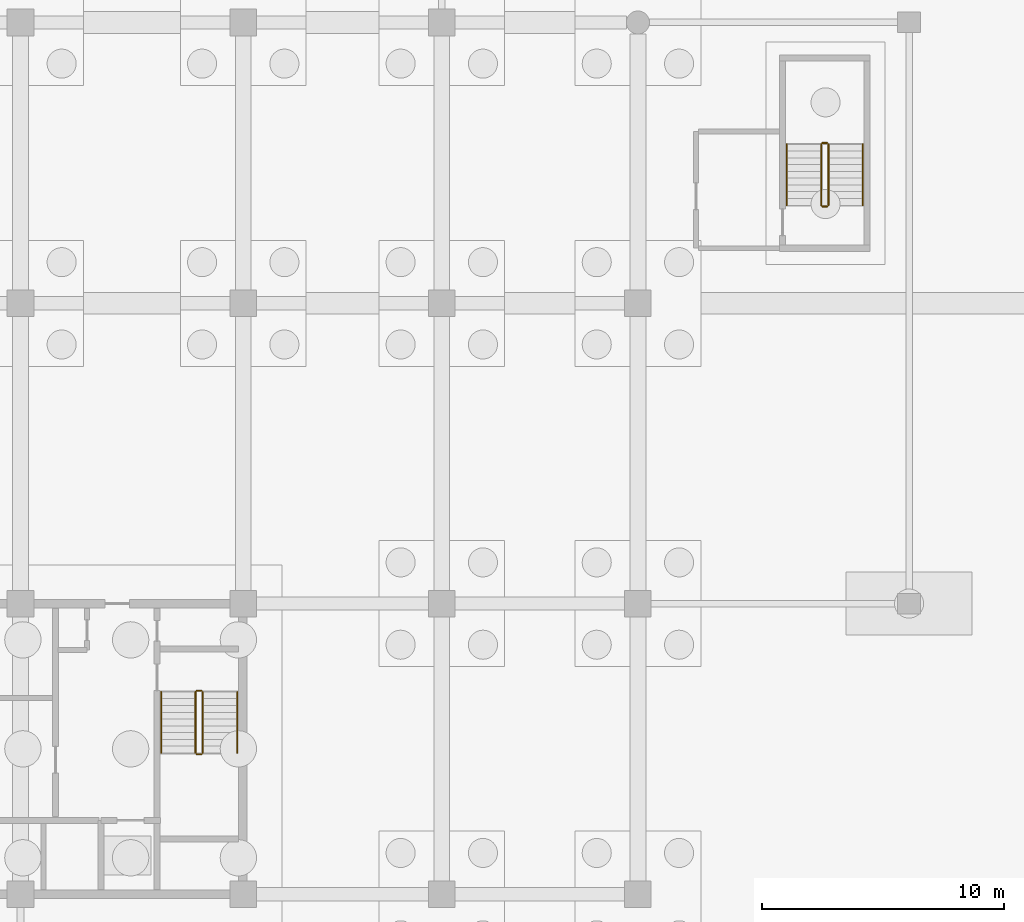
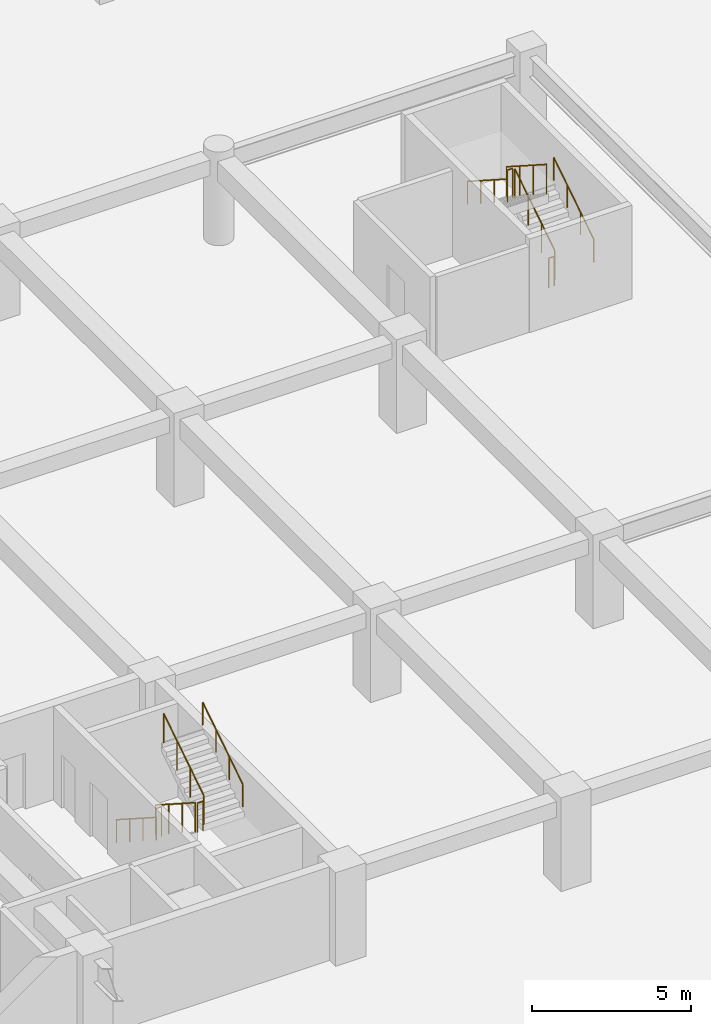
# One storey, part 25 of 26: 12 railings.
"""IFC4 building model written with IfcOpenShell, lengths in metres."""

from ifc_helpers import new_model, si_unit, direction, frame, origin, origin_2d, place, context, subcontext, project, spatial, circle, extrude, material, type_object, element, save


model = new_model("IFC4")

# Units and contexts
model_context = context("Model", 3, precision=1e-05, world=origin(), true_north=direction((0.0, 1.0)))
body_context = subcontext(model_context, "Body", "Model", "MODEL_VIEW")
ifc_project = project(units=[si_unit("LENGTHUNIT", "METRE"), si_unit("AREAUNIT", "SQUARE_METRE"), si_unit("VOLUMEUNIT", "CUBIC_METRE"), si_unit("PLANEANGLEUNIT", "RADIAN"), si_unit("MASSUNIT", "GRAM", prefix="KILO")], contexts=[model_context])

# Site, building, storey
site_placement = place(None, origin())
site = spatial("IfcSite", under=ifc_project, at=site_placement, CompositionType="ELEMENT")
building_placement = place(site_placement, origin())
building = spatial("IfcBuilding", under=site, at=building_placement, Name="Korimba Cascade Residences", CompositionType="ELEMENT")
storey_placement = place(building_placement, frame((0.0, 0.0, -10.800048828125)))
storey = spatial("IfcBuildingStorey", under=building, at=storey_placement, Name="B03", CompositionType="ELEMENT", Elevation=-10.800048828125)

# Railings
ifc_material_1 = material(Name="Painted Steel Stairwell Guardrail", Category="steel")
railing_type_1 = type_object("IfcRailingType", Name="RLG-ST-GD1150", PredefinedType="GUARDRAIL", material=ifc_material_1)
railing_1_placement = place(storey_placement, frame((110.1298828125, 63.550048828125, 0.179931640625)))
element("IfcRailing", 1, at=railing_1_placement, inside=storey, type_object=railing_type_1, Name="B03 ST-W2 stair guard 1", PredefinedType="GUARDRAIL", context=body_context, shape_type="SweptSolid", body=[
    extrude(circle(Radius=0.02392578125, at=origin_2d()), frame((0.0, 0.0, 1.1259765625), z_axis=(0.0, -0.841162588446, 0.540782303519), x_axis=(1.0, 0.0, 0.0)), (0.0, 0.0, 1.0), 2.995849609375),
    extrude(circle(Radius=0.02099609375, at=origin_2d()), origin(), (0.0, 0.0, 1.0), 1.101806640625),
    extrude(circle(Radius=0.02099609375, at=origin_2d()), frame((0.0, -0.840087890625, 0.5400390625)), (0.0, 0.0, 1.0), 1.101806640625),
    extrude(circle(Radius=0.02099609375, at=origin_2d()), frame((0.0, -1.679931640625, 1.080078125)), (0.0, 0.0, 1.0), 1.101806640625),
    extrude(circle(Radius=0.02099609375, at=origin_2d()), frame((0.0, -2.52001953125, 1.6201171875)), (0.0, 0.0, 1.0), 1.101806640625),
])
railing_2_placement = place(storey_placement, frame((110.179931640625, 60.97998046875, 1.800048828125)))
element("IfcRailing", 2, at=railing_2_placement, inside=storey, type_object=railing_type_1, Name="B03 ST-W2 stair guard 2", PredefinedType="GUARDRAIL", context=body_context, shape_type="SweptSolid", body=[
    extrude(circle(Radius=0.02392578125, at=origin_2d()), frame((0.0, 0.0, 1.1259765625), z_axis=(1.0, 0.0, 0.0), x_axis=(0.0, 1.0, 0.0)), (0.0, 0.0, 1.0), 0.199951171875),
    extrude(circle(Radius=0.02099609375, at=origin_2d()), origin(), (0.0, 0.0, 1.0), 1.101806640625),
    extrude(circle(Radius=0.02099609375, at=origin_2d()), frame((0.199951171875, 0.0, 0.0)), (0.0, 0.0, 1.0), 1.101806640625),
])
railing_3_placement = place(storey_placement, frame((110.429931640625, 61.030029296875, 1.97998046875)))
element("IfcRailing", 3, at=railing_3_placement, inside=storey, type_object=railing_type_1, Name="B03 ST-W2 stair guard 3", PredefinedType="GUARDRAIL", context=body_context, shape_type="SweptSolid", body=[
    extrude(circle(Radius=0.02392578125, at=origin_2d()), frame((0.0, 0.0, 1.1259765625), z_axis=(0.0, 0.841162588446, 0.540782303519), x_axis=(-1.0, 0.0, 0.0)), (0.0, 0.0, 1.0), 2.995849609375),
    extrude(circle(Radius=0.02099609375, at=origin_2d()), origin(), (0.0, 0.0, 1.0), 1.101806640625),
    extrude(circle(Radius=0.02099609375, at=origin_2d()), frame((0.0, 0.840087890625, 0.5400390625)), (0.0, 0.0, 1.0), 1.101806640625),
    extrude(circle(Radius=0.02099609375, at=origin_2d()), frame((0.0, 1.679931640625, 1.080078125)), (0.0, 0.0, 1.0), 1.101806640625),
    extrude(circle(Radius=0.02099609375, at=origin_2d()), frame((0.0, 2.52001953125, 1.6201171875)), (0.0, 0.0, 1.0), 1.101806640625),
])
railing_4_placement = place(storey_placement, frame((110.179931640625, 63.60009765625, 0.0)))
element("IfcRailing", 4, at=railing_4_placement, inside=storey, type_object=railing_type_1, Name="B03 ST-W2 stair guard 4", PredefinedType="GUARDRAIL", context=body_context, shape_type="SweptSolid", body=[
    extrude(circle(Radius=0.02392578125, at=origin_2d()), frame((0.0, 0.0, 1.1259765625), z_axis=(1.0, 0.0, 0.0), x_axis=(0.0, 1.0, 0.0)), (0.0, 0.0, 1.0), 0.199951171875),
    extrude(circle(Radius=0.02099609375, at=origin_2d()), origin(), (0.0, 0.0, 1.0), 1.101806640625),
    extrude(circle(Radius=0.02099609375, at=origin_2d()), frame((0.199951171875, 0.0, 0.0)), (0.0, 0.0, 1.0), 1.101806640625),
])
railing_5_placement = place(storey_placement, frame((136.27001953125, 83.64990234375, 0.179931640625)))
element("IfcRailing", 5, at=railing_5_placement, inside=storey, type_object=railing_type_1, Name="B03 ST-P4 stair guard 1", PredefinedType="GUARDRAIL", context=body_context, shape_type="SweptSolid", body=[
    extrude(circle(Radius=0.02392578125, at=origin_2d()), frame((0.0, 0.0, 1.1259765625), z_axis=(0.0, 0.841162588446, 0.540782303519), x_axis=(-1.0, 0.0, 0.0)), (0.0, 0.0, 1.0), 2.995849609375),
    extrude(circle(Radius=0.02099609375, at=origin_2d()), origin(), (0.0, 0.0, 1.0), 1.101806640625),
    extrude(circle(Radius=0.02099609375, at=origin_2d()), frame((0.0, 0.840087890625, 0.5400390625)), (0.0, 0.0, 1.0), 1.101806640625),
    extrude(circle(Radius=0.02099609375, at=origin_2d()), frame((0.0, 1.679931640625, 1.080078125)), (0.0, 0.0, 1.0), 1.101806640625),
    extrude(circle(Radius=0.02099609375, at=origin_2d()), frame((0.0, 2.52001953125, 1.6201171875)), (0.0, 0.0, 1.0), 1.101806640625),
])
railing_6_placement = place(storey_placement, frame((136.219970703125, 86.219970703125, 1.800048828125)))
element("IfcRailing", 6, at=railing_6_placement, inside=storey, type_object=railing_type_1, Name="B03 ST-P4 stair guard 2", PredefinedType="GUARDRAIL", context=body_context, shape_type="SweptSolid", body=[
    extrude(circle(Radius=0.02392578125, at=origin_2d()), frame((0.0, 0.0, 1.1259765625), z_axis=(-1.0, 0.0, 0.0), x_axis=(0.0, -1.0, 0.0)), (0.0, 0.0, 1.0), 0.199951171875),
    extrude(circle(Radius=0.02099609375, at=origin_2d()), origin(), (0.0, 0.0, 1.0), 1.101806640625),
    extrude(circle(Radius=0.02099609375, at=origin_2d()), frame((-0.199951171875, 0.0, 0.0)), (0.0, 0.0, 1.0), 1.101806640625),
])
railing_7_placement = place(storey_placement, frame((135.969970703125, 86.169921875, 1.97998046875)))
element("IfcRailing", 7, at=railing_7_placement, inside=storey, type_object=railing_type_1, Name="B03 ST-P4 stair guard 3", PredefinedType="GUARDRAIL", context=body_context, shape_type="SweptSolid", body=[
    extrude(circle(Radius=0.02392578125, at=origin_2d()), frame((0.0, 0.0, 1.1259765625), z_axis=(0.0, -0.841162588446, 0.540782303519), x_axis=(1.0, 0.0, 0.0)), (0.0, 0.0, 1.0), 2.995849609375),
    extrude(circle(Radius=0.02099609375, at=origin_2d()), origin(), (0.0, 0.0, 1.0), 1.101806640625),
    extrude(circle(Radius=0.02099609375, at=origin_2d()), frame((0.0, -0.840087890625, 0.5400390625)), (0.0, 0.0, 1.0), 1.101806640625),
    extrude(circle(Radius=0.02099609375, at=origin_2d()), frame((0.0, -1.679931640625, 1.080078125)), (0.0, 0.0, 1.0), 1.101806640625),
    extrude(circle(Radius=0.02099609375, at=origin_2d()), frame((0.0, -2.52001953125, 1.6201171875)), (0.0, 0.0, 1.0), 1.101806640625),
])
railing_8_placement = place(storey_placement, frame((136.219970703125, 83.60009765625, 0.0)))
element("IfcRailing", 8, at=railing_8_placement, inside=storey, type_object=railing_type_1, Name="B03 ST-P4 stair guard 4", PredefinedType="GUARDRAIL", context=body_context, shape_type="SweptSolid", body=[
    extrude(circle(Radius=0.02392578125, at=origin_2d()), frame((0.0, 0.0, 1.1259765625), z_axis=(-1.0, 0.0, 0.0), x_axis=(0.0, -1.0, 0.0)), (0.0, 0.0, 1.0), 0.199951171875),
    extrude(circle(Radius=0.02099609375, at=origin_2d()), origin(), (0.0, 0.0, 1.0), 1.101806640625),
    extrude(circle(Radius=0.02099609375, at=origin_2d()), frame((-0.199951171875, 0.0, 0.0)), (0.0, 0.0, 1.0), 1.101806640625),
])
ifc_material_2 = material(Name="Brushed Stainless Steel Handrail", Category="steel")
railing_type_2 = type_object("IfcRailingType", Name="RLG-ST-HR900", PredefinedType="HANDRAIL", material=ifc_material_2)
railing_9_placement = place(storey_placement, frame((108.7099609375, 63.550048828125, 0.36376953125)))
element("IfcRailing", 9, at=railing_9_placement, inside=storey, type_object=railing_type_2, Name="B03 ST-W2 stair handrail 1", PredefinedType="HANDRAIL", context=body_context, shape_type="SweptSolid", body=[
    extrude(circle(Radius=0.02392578125, at=origin_2d()), frame((0.0, 0.0, 0.8759765625), z_axis=(0.0, -0.841162588446, 0.540782303519), x_axis=(1.0, 0.0, 0.0)), (0.0, 0.0, 1.0), 2.995849609375),
    extrude(circle(Radius=0.02099609375, at=origin_2d()), origin(), (0.0, 0.0, 1.0), 0.851806640625),
    extrude(circle(Radius=0.02099609375, at=origin_2d()), frame((0.0, -0.840087890625, 0.5400390625)), (0.0, 0.0, 1.0), 0.851806640625),
    extrude(circle(Radius=0.02099609375, at=origin_2d()), frame((0.0, -1.679931640625, 1.080078125)), (0.0, 0.0, 1.0), 0.851806640625),
    extrude(circle(Radius=0.02099609375, at=origin_2d()), frame((0.0, -2.52001953125, 1.6201171875)), (0.0, 0.0, 1.0), 0.851806640625),
])
for number, where, name in (
    (10, (111.85009765625, 61.030029296875, 2.163818359375), "B03 ST-W2 stair handrail 2"),
    (11, (137.68994140625, 83.64990234375, 0.36376953125), "B03 ST-P4 stair handrail 1"),
):
    element("IfcRailing", number, at=place(storey_placement, frame(where)), inside=storey, type_object=railing_type_2, Name=name, PredefinedType="HANDRAIL", context=body_context, shape_type="SweptSolid", body=[
        extrude(circle(Radius=0.02392578125, at=origin_2d()), frame((0.0, 0.0, 0.8759765625), z_axis=(0.0, 0.841162588446, 0.540782303519), x_axis=(-1.0, 0.0, 0.0)), (0.0, 0.0, 1.0), 2.995849609375),
        extrude(circle(Radius=0.02099609375, at=origin_2d()), origin(), (0.0, 0.0, 1.0), 0.851806640625),
        extrude(circle(Radius=0.02099609375, at=origin_2d()), frame((0.0, 0.840087890625, 0.5400390625)), (0.0, 0.0, 1.0), 0.851806640625),
        extrude(circle(Radius=0.02099609375, at=origin_2d()), frame((0.0, 1.679931640625, 1.080078125)), (0.0, 0.0, 1.0), 0.851806640625),
        extrude(circle(Radius=0.02099609375, at=origin_2d()), frame((0.0, 2.52001953125, 1.6201171875)), (0.0, 0.0, 1.0), 0.851806640625),
    ])
railing_10_placement = place(storey_placement, frame((134.550048828125, 86.169921875, 2.163818359375)))
element("IfcRailing", 12, at=railing_10_placement, inside=storey, type_object=railing_type_2, Name="B03 ST-P4 stair handrail 2", PredefinedType="HANDRAIL", context=body_context, shape_type="SweptSolid", body=[
    extrude(circle(Radius=0.02392578125, at=origin_2d()), frame((0.0, 0.0, 0.8759765625), z_axis=(0.0, -0.841162588446, 0.540782303519), x_axis=(1.0, 0.0, 0.0)), (0.0, 0.0, 1.0), 2.995849609375),
    extrude(circle(Radius=0.02099609375, at=origin_2d()), origin(), (0.0, 0.0, 1.0), 0.851806640625),
    extrude(circle(Radius=0.02099609375, at=origin_2d()), frame((0.0, -0.840087890625, 0.5400390625)), (0.0, 0.0, 1.0), 0.851806640625),
    extrude(circle(Radius=0.02099609375, at=origin_2d()), frame((0.0, -1.679931640625, 1.080078125)), (0.0, 0.0, 1.0), 0.851806640625),
    extrude(circle(Radius=0.02099609375, at=origin_2d()), frame((0.0, -2.52001953125, 1.6201171875)), (0.0, 0.0, 1.0), 0.851806640625),
])

save(model, "model.ifc")
